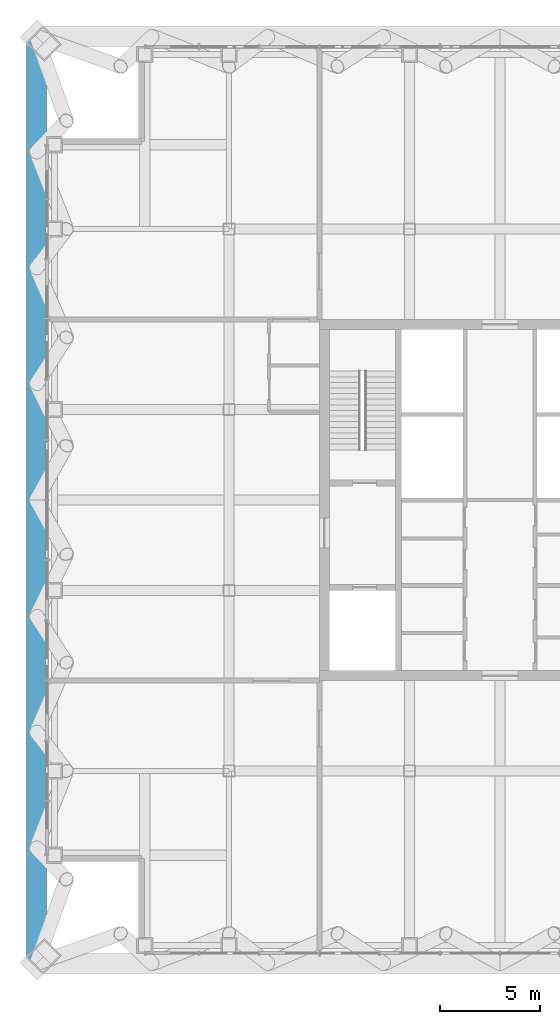
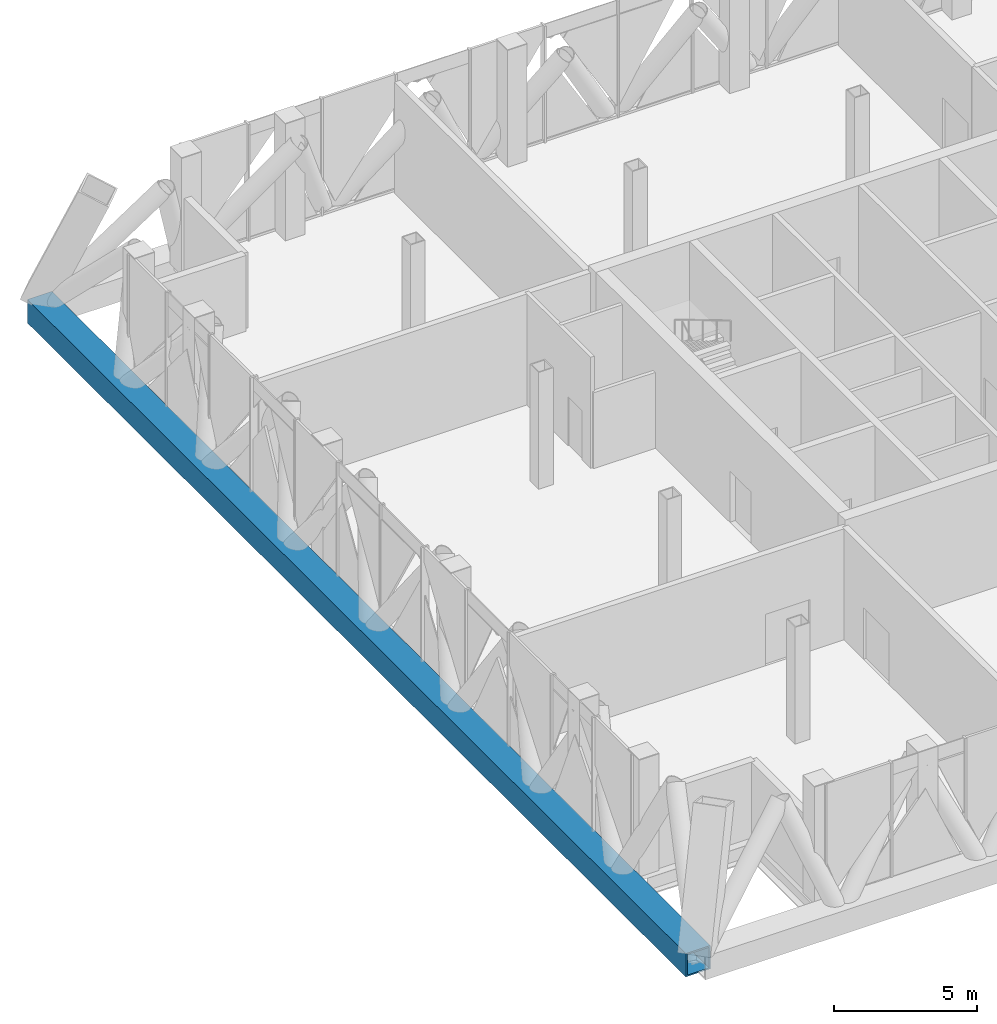
# One storey, part 5 of 27: 1 member.
"""IFC4 building model written with IfcOpenShell, lengths in metres."""

from ifc_helpers import new_model, si_unit, direction, frame, origin, origin_2d, place, context, subcontext, project, spatial, hollow_rectangle, extrude, material, material_profile, profile_set, type_object, element, save


model = new_model("IFC4")

# Units and contexts
model_context = context("Model", 3, precision=1e-05, world=origin(), true_north=direction((0.0, 1.0)))
body_context = subcontext(model_context, "Body", "Model", "MODEL_VIEW")
ifc_project = project(units=[si_unit("LENGTHUNIT", "METRE"), si_unit("AREAUNIT", "SQUARE_METRE"), si_unit("VOLUMEUNIT", "CUBIC_METRE"), si_unit("PLANEANGLEUNIT", "RADIAN"), si_unit("MASSUNIT", "GRAM", prefix="KILO")], contexts=[model_context])

# Site, building, storey
site_placement = place(None, origin())
site = spatial("IfcSite", under=ifc_project, at=site_placement, CompositionType="ELEMENT")
building_placement = place(site_placement, origin())
building = spatial("IfcBuilding", under=site, at=building_placement, Name="Malebo Sky Hospital", CompositionType="ELEMENT")
storey_placement = place(building_placement, frame((0.0, 0.0, 245.0)))
storey = spatial("IfcBuildingStorey", under=building, at=storey_placement, Name="L59", CompositionType="ELEMENT", Elevation=245.0)

# Member
ifc_material = material(Name="Steel S460", Category="steel")
ifc_material_profile = material_profile(ifc_material, hollow_rectangle(XDim=1.0, YDim=1.0, WallThickness=0.06005859375, at=origin_2d()), Name="BOX 1000x1000x60")
ifc_profile_set = profile_set([ifc_material_profile], Name="Steel S460")
member_type = type_object("IfcMemberType", Name="MEGA TIE BOX 1000x1000x60", PredefinedType="CHORD", material=ifc_profile_set)
member_placement = place(storey_placement, frame((36.89990234375, 85.10009765625, -0.39990234375), z_axis=(0.0, -1.0, 0.0), x_axis=(1.0, 0.0, 0.0)))
element("IfcMember", 1, at=member_placement, inside=storey, type_object=member_type, Name="Mega tie CW L59", PredefinedType="CHORD", context=body_context, shape_type="SweptSolid", body=[
    extrude(hollow_rectangle(XDim=1.0, YDim=1.0, WallThickness=0.06005859375, at=origin_2d()), origin(), (0.0, 0.0, 1.0), 46.2001953125),
])

save(model, "model.ifc")
